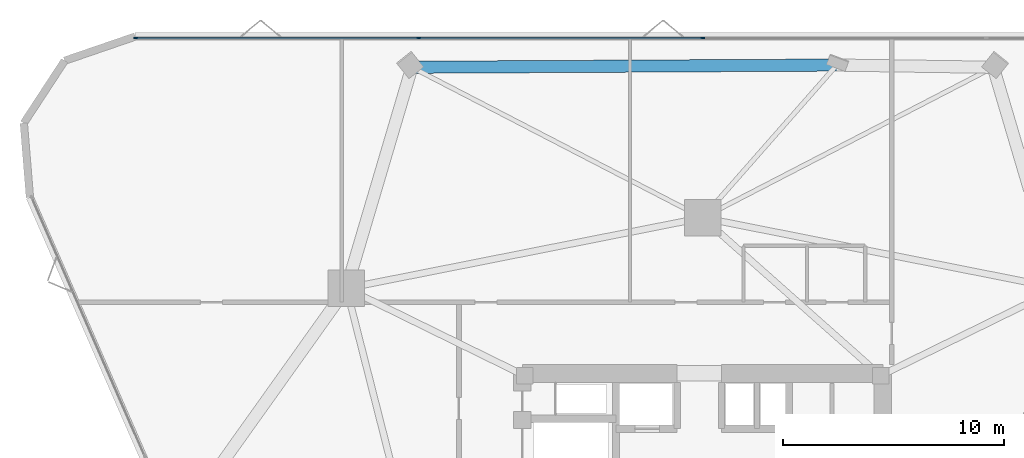
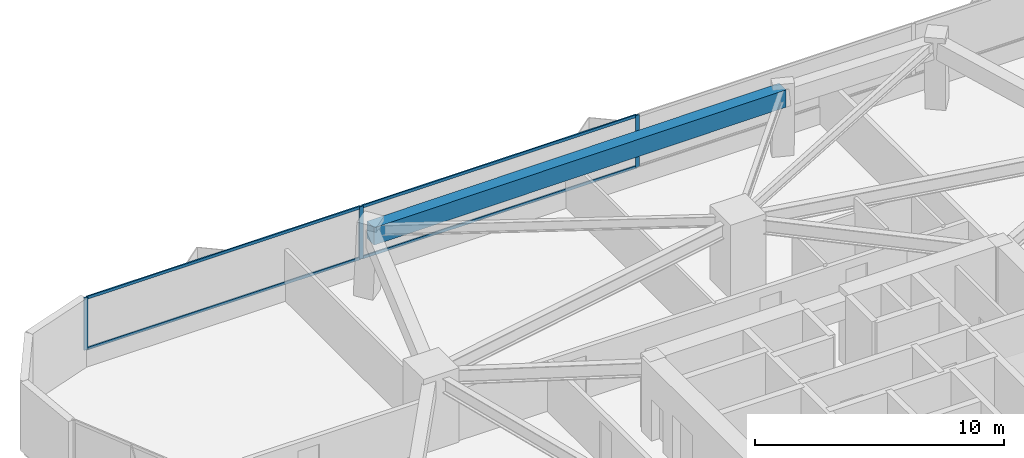
# One storey, part 9 of 16: 7 members, 1 beam, 1 element without a shape of its own.
"""IFC4 building model written with IfcOpenShell, lengths in metres."""

from ifc_helpers import new_model, si_unit, direction, frame, origin, origin_2d, place, context, subcontext, project, spatial, rectangle, extrude, material, layer, layer_set, material_profile, profile_set, type_object, element, aggregate, save


model = new_model("IFC4")

# Units and contexts
model_context = context("Model", 3, precision=1e-05, world=origin(), true_north=direction((0.0, 1.0)))
body_context = subcontext(model_context, "Body", "Model", "MODEL_VIEW")
ifc_project = project(units=[si_unit("LENGTHUNIT", "METRE"), si_unit("AREAUNIT", "SQUARE_METRE"), si_unit("VOLUMEUNIT", "CUBIC_METRE"), si_unit("PLANEANGLEUNIT", "RADIAN"), si_unit("MASSUNIT", "GRAM", prefix="KILO")], contexts=[model_context])

# Site, building, storey
site_placement = place(None, origin())
site = spatial("IfcSite", under=ifc_project, at=site_placement, CompositionType="ELEMENT")
building_placement = place(site_placement, origin())
building = spatial("IfcBuilding", under=site, at=building_placement, Name="Talyreon Biosciences Tower", CompositionType="ELEMENT")
storey_placement = place(building_placement, frame((0.0, 0.0, 107.85009765625)))
storey = spatial("IfcBuildingStorey", under=building, at=storey_placement, Name="L28", CompositionType="ELEMENT", Elevation=107.85009765625)

# Curtain wall, members
ifc_material_1 = material(Name="Thermally broken aluminium and low-E glazing", Category="aluminium")
ifc_layer = layer(ifc_material_1, 0.18994140625)
ifc_layer_set = layer_set([ifc_layer], Name="Thermally broken aluminium and low-E glazing")
curtain_wall_type = type_object("IfcCurtainWallType", Name="CurtainWall_Zone2Genomics", PredefinedType="NOTDEFINED", material=ifc_layer_set)
curtain_wall_placement = place(storey_placement, origin())
curtain_wall = element("IfcCurtainWall", 1, at=curtain_wall_placement, inside=storey, type_object=curtain_wall_type, Name="L28 Unitised Curtain Wall FCW-L28-04", PredefinedType="NOTDEFINED")
ifc_material_2 = material(Name="Anodised thermally broken aluminium", Category="aluminium")
ifc_material_profile_1 = material_profile(ifc_material_2, rectangle(XDim=0.06494140625, YDim=0.179931640625, at=origin_2d()), Name="ALUM MULLION 65x180")
ifc_profile_set_1 = profile_set([ifc_material_profile_1], Name="Anodised thermally broken aluminium")
member_type_1 = type_object("IfcMemberType", Name="CWMullion_65x180", PredefinedType="MULLION", material=ifc_profile_set_1)
member_1_placement = place(storey_placement, frame((40.378662109375, 89.906494140625, 0.809814453125), z_axis=(0.0, 0.0, 1.0), x_axis=(0.0, 1.0, 0.0)))
member_1 = element("IfcMember", 2, at=member_1_placement, type_object=member_type_1, Name="CW3 mullion 1", PredefinedType="MULLION", context=body_context, shape_type="SweptSolid", body=[
    extrude(rectangle(XDim=0.06494140625, YDim=0.179931640625, at=origin_2d()), origin(), (0.0, 0.0, 1.0), 2.565185546875),
])
member_2_placement = place(storey_placement, frame((53.173095703125, 89.906494140625, 0.809814453125), z_axis=(0.0, 0.0, 1.0), x_axis=(0.0, 1.0, 0.0)))
member_2 = element("IfcMember", 3, at=member_2_placement, type_object=member_type_1, Name="CW3 mullion 2", PredefinedType="MULLION", context=body_context, shape_type="SweptSolid", body=[
    extrude(rectangle(XDim=0.06494140625, YDim=0.179931640625, at=origin_2d()), origin(), (0.0, 0.0, 1.0), 2.565185546875),
])
member_3_placement = place(storey_placement, frame((66.0, 89.906494140625, 0.809814453125), z_axis=(0.0, 0.0, 1.0), x_axis=(0.0, 1.0, 0.0)))
member_3 = element("IfcMember", 4, at=member_3_placement, type_object=member_type_1, Name="CW3 mullion 3", PredefinedType="MULLION", context=body_context, shape_type="SweptSolid", body=[
    extrude(rectangle(XDim=0.06494140625, YDim=0.179931640625, at=origin_2d()), origin(), (0.0, 0.0, 1.0), 2.565185546875),
])
ifc_material_profile_2 = material_profile(ifc_material_2, rectangle(XDim=0.06494140625, YDim=0.139892578125, at=origin_2d()), Name="ALUM TRANSOM 65x140")
ifc_profile_set_2 = profile_set([ifc_material_profile_2], Name="Anodised thermally broken aluminium")
member_type_2 = type_object("IfcMemberType", Name="CWTransom_65x140", PredefinedType="USERDEFINED", material=ifc_profile_set_2)
member_4_placement = place(storey_placement, frame((40.4111328125, 89.906494140625, 0.84228515625), z_axis=(1.0, 0.0, 0.0), x_axis=(0.0, 1.0, 0.0)))
member_4 = element("IfcMember", 5, at=member_4_placement, type_object=member_type_2, Name="CW3 transom 1.1", ObjectType="TRANSOM", PredefinedType="USERDEFINED", context=body_context, shape_type="SweptSolid", body=[
    extrude(rectangle(XDim=0.06494140625, YDim=0.139892578125, at=origin_2d()), origin(), (0.0, 0.0, 1.0), 12.7294921875),
])
member_5_placement = place(storey_placement, frame((40.4111328125, 89.906494140625, 3.34228515625), z_axis=(1.0, 0.0, 0.0), x_axis=(0.0, 1.0, 0.0)))
member_5 = element("IfcMember", 6, at=member_5_placement, type_object=member_type_2, Name="CW3 transom 1.2", ObjectType="TRANSOM", PredefinedType="USERDEFINED", context=body_context, shape_type="SweptSolid", body=[
    extrude(rectangle(XDim=0.06494140625, YDim=0.139892578125, at=origin_2d()), origin(), (0.0, 0.0, 1.0), 12.7294921875),
])
member_6_placement = place(storey_placement, frame((53.20556640625, 89.906494140625, 0.84228515625), z_axis=(1.0, 0.0, 0.0), x_axis=(0.0, 1.0, 0.0)))
member_6 = element("IfcMember", 7, at=member_6_placement, type_object=member_type_2, Name="CW3 transom 2.1", ObjectType="TRANSOM", PredefinedType="USERDEFINED", context=body_context, shape_type="SweptSolid", body=[
    extrude(rectangle(XDim=0.06494140625, YDim=0.139892578125, at=origin_2d()), origin(), (0.0, 0.0, 1.0), 12.761962890625),
])
member_7_placement = place(storey_placement, frame((53.20556640625, 89.906494140625, 3.34228515625), z_axis=(1.0, 0.0, 0.0), x_axis=(0.0, 1.0, 0.0)))
member_7 = element("IfcMember", 8, at=member_7_placement, type_object=member_type_2, Name="CW3 transom 2.2", ObjectType="TRANSOM", PredefinedType="USERDEFINED", context=body_context, shape_type="SweptSolid", body=[
    extrude(rectangle(XDim=0.06494140625, YDim=0.139892578125, at=origin_2d()), origin(), (0.0, 0.0, 1.0), 12.761962890625),
])
aggregate(curtain_wall, [member_1, member_2, member_3, member_4, member_5, member_6, member_7])

# Beam
ifc_material_3 = material(Name="Precast concrete C45/55", Category="concrete")
ifc_material_profile_3 = material_profile(ifc_material_3, rectangle(XDim=0.550048828125, YDim=0.85009765625, at=origin_2d()), Name="RCB 550x850")
ifc_profile_set_3 = profile_set([ifc_material_profile_3], Name="Precast concrete C45/55")
beam_type = type_object("IfcBeamType", Name="ExpressedSpandrel_550x850", PredefinedType="SPANDREL", material=ifc_profile_set_3)
beam_placement = place(storey_placement, frame((72.06640625, 88.692138671875, 2.949951171875), z_axis=(-0.999986425184, -0.005210513107, 0.0), x_axis=(0.005210513107, -0.999986425184, 0.0)))
element("IfcBeam", 9, at=beam_placement, inside=storey, type_object=beam_type, Name="L28 Expressed Horizontal Concrete Spandrel 07", PredefinedType="SPANDREL", context=body_context, shape_type="SweptSolid", body=[
    extrude(rectangle(XDim=0.550048828125, YDim=0.85009765625, at=origin_2d()), origin(), (0.0, 0.0, 1.0), 19.210693359375),
])

save(model, "model.ifc")
